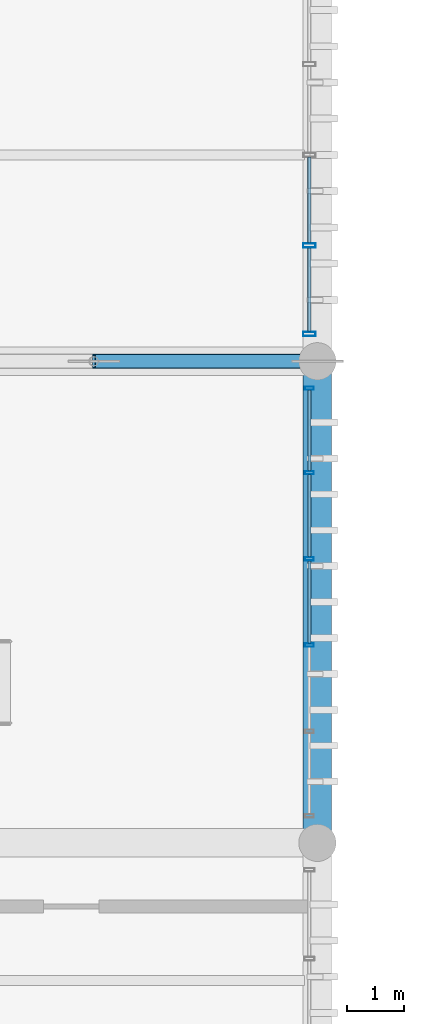
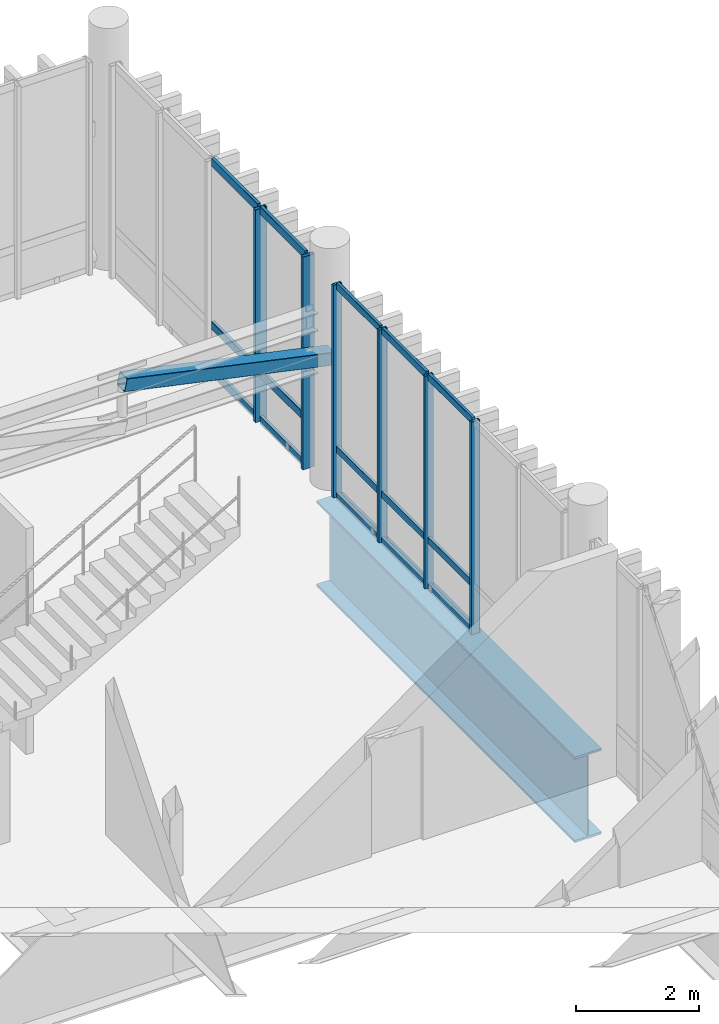
# One storey, part 43 of 86: 22 members, 1 beam, 2 elements without a shape of their own.
"""IFC4 building model written with IfcOpenShell, lengths in metres."""

from ifc_helpers import new_model, si_unit, direction, frame, origin_with_axes, origin_2d_with_axis, place, context, subcontext, project, spatial, hollow_rectangle, i_section, extrude, material, material_profile, profile_set, type_object, element, aggregate, save


model = new_model("IFC4")

# Units and contexts
model_context = context("Model", 3, precision=1e-05, world=origin_with_axes(), true_north=direction((0.0, 1.0)))
body_context = subcontext(model_context, "Body", "Model", "MODEL_VIEW")
ifc_project = project(units=[si_unit("LENGTHUNIT", "METRE"), si_unit("AREAUNIT", "SQUARE_METRE"), si_unit("VOLUMEUNIT", "CUBIC_METRE"), si_unit("PLANEANGLEUNIT", "RADIAN"), si_unit("MASSUNIT", "GRAM", prefix="KILO"), si_unit("THERMODYNAMICTEMPERATUREUNIT", "KELVIN")], contexts=[model_context])

# Site, building, storey
site_placement = place(None, origin_with_axes())
site = spatial("IfcSite", under=ifc_project, at=site_placement, CompositionType="ELEMENT")
building_placement = place(site_placement, origin_with_axes())
building = spatial("IfcBuilding", under=site, at=building_placement, Name="Montbau Bow Law Courts", CompositionType="ELEMENT")
storey_placement = place(building_placement, frame((0.0, 0.0, 29.7), z_axis=(0.0, 0.0, 1.0), x_axis=(1.0, 0.0, 0.0)))
storey = spatial("IfcBuildingStorey", under=building, at=storey_placement, Name="L06", CompositionType="ELEMENT", Elevation=29.7)

# Beam
ifc_material_1 = material(Name="Steel CSA G40.21 Grade 350WT (350 MPa)", Category="steel")
ifc_material_profile_1 = material_profile(ifc_material_1, i_section(OverallWidth=0.5, OverallDepth=1.7, WebThickness=0.02, FlangeThickness=0.045, at=origin_2d_with_axis()), Name="WWF1700X480", Category="Main", Priority=0)
ifc_profile_set_1 = profile_set([ifc_material_profile_1], Name="Steel CSA G40.21 Grade 350WT (350 MPa)")
beam_type = type_object("IfcBeamType", Name="B-TRG-02", PredefinedType="USERDEFINED", material=ifc_profile_set_1)
beam_placement = place(None, frame((105.0, 46.2, 28.51), z_axis=(0.0, 1.0, 0.0), x_axis=(-1.0, 0.0, 0.0)))
element("IfcBeam", 1, at=beam_placement, inside=storey, type_object=beam_type, Name="TRG-L06-S0068:bm2_0071", ObjectType="GIRDER", PredefinedType="USERDEFINED", context=body_context, shape_type="SweptSolid", body=[
    extrude(i_section(OverallWidth=0.5, OverallDepth=1.7, WebThickness=0.02, FlangeThickness=0.045, at=origin_2d_with_axis()), origin_with_axes(), (0.0, 0.0, 1.0), 8.4),
])

# Member
ifc_material_2 = material(Name="Steel CSA G40.21 Grade 350W (350 MPa)", Category="steel")
ifc_material_profile_2 = material_profile(ifc_material_2, hollow_rectangle(XDim=0.254, YDim=0.254, WallThickness=0.0127, InnerFilletRadius=0.0254, OuterFilletRadius=0.0127, at=origin_2d_with_axis()), Name="HSS254X254X13", Category="Main", Priority=0)
ifc_profile_set_2 = profile_set([ifc_material_profile_2], Name="Steel CSA G40.21 Grade 350W (350 MPa)")
member_type_1 = type_object("IfcMemberType", Name="M-BRC-01", PredefinedType="BRACE", material=ifc_profile_set_2)
member_1_placement = place(None, frame((101.1, 54.6, 33.0), z_axis=(0.977581781, 0.0, -0.210556076), x_axis=(0.0, 1.0, 0.0)))
element("IfcMember", 2, at=member_1_placement, inside=storey, type_object=member_type_1, Name="Diagonal brace BRC-L06-016", PredefinedType="BRACE", context=body_context, shape_type="SweptSolid", body=[
    extrude(hollow_rectangle(XDim=0.254, YDim=0.254, WallThickness=0.0127, InnerFilletRadius=0.0254, OuterFilletRadius=0.0127, at=origin_2d_with_axis()), origin_with_axes(), (0.0, 0.0, 1.0), 3.989436),
])

# Curtain wall, members
ifc_material_3 = material(Name="Thermally Broken Extruded Aluminium AA 6063-T6", Category="aluminium")
curtain_wall_type = type_object("IfcCurtainWallType", Name="CW-CRM-02", PredefinedType="NOTDEFINED", material=ifc_material_3)
curtain_wall_1_placement = place(None, frame((104.86, 55.04, 29.7), z_axis=(0.0, 0.0, 1.0), x_axis=(1.0, 0.0, 0.0)))
curtain_wall_1 = element("IfcCurtainWall", 3, at=curtain_wall_1_placement, inside=storey, type_object=curtain_wall_type, Name="CW-L06-240:cw_0240", PredefinedType="NOTDEFINED")
ifc_material_profile_3 = material_profile(ifc_material_3, hollow_rectangle(XDim=0.075, YDim=0.22, WallThickness=0.005, InnerFilletRadius=0.01, OuterFilletRadius=0.005, at=origin_2d_with_axis()), Name="CWM-220X75", Category="Main", Priority=0)
ifc_profile_set_3 = profile_set([ifc_material_profile_3], Name="Thermally Broken Extruded Aluminium AA 6063-T6")
member_type_2 = type_object("IfcMemberType", Name="M-MUL-01", PredefinedType="MULLION", material=ifc_profile_set_3)
member_2_placement = place(None, frame((104.86, 55.077, 29.7), z_axis=(0.0, 0.0, 1.0), x_axis=(0.0, 1.0, 0.0)))
member_2 = element("IfcMember", 4, at=member_2_placement, type_object=member_type_2, Name="CW-L06-240-M01:cw_0240_M01", PredefinedType="MULLION", context=body_context, shape_type="SweptSolid", body=[
    extrude(hollow_rectangle(XDim=0.075, YDim=0.22, WallThickness=0.005, InnerFilletRadius=0.01, OuterFilletRadius=0.005, at=origin_2d_with_axis()), origin_with_axes(), (0.0, 0.0, 1.0), 4.22),
])
member_3_placement = place(None, frame((104.86, 56.62, 29.7), z_axis=(0.0, 0.0, 1.0), x_axis=(0.0, 1.0, 0.0)))
member_3 = element("IfcMember", 5, at=member_3_placement, type_object=member_type_2, Name="CW-L06-240-M02:cw_0240_M02", PredefinedType="MULLION", context=body_context, shape_type="SweptSolid", body=[
    extrude(hollow_rectangle(XDim=0.075, YDim=0.22, WallThickness=0.005, InnerFilletRadius=0.01, OuterFilletRadius=0.005, at=origin_2d_with_axis()), origin_with_axes(), (0.0, 0.0, 1.0), 4.22),
])

curtain_wall_2_placement = place(None, frame((104.86, 46.64, 29.7), z_axis=(0.0, 0.0, 1.0), x_axis=(1.0, 0.0, 0.0)))
curtain_wall_2 = element("IfcCurtainWall", 6, at=curtain_wall_2_placement, inside=storey, type_object=curtain_wall_type, Name="CW-L06-239:cw_0239", PredefinedType="NOTDEFINED")
ifc_material_profile_4 = material_profile(ifc_material_3, hollow_rectangle(XDim=0.06, YDim=0.16, WallThickness=0.004, InnerFilletRadius=0.008, OuterFilletRadius=0.004, at=origin_2d_with_axis()), Name="CWM-160X60", Category="Main", Priority=0)
ifc_profile_set_4 = profile_set([ifc_material_profile_4], Name="Thermally Broken Extruded Aluminium AA 6063-T6")
member_type_3 = type_object("IfcMemberType", Name="M-MUL-03", PredefinedType="MULLION", material=ifc_profile_set_4)
member_4_placement = place(None, frame((104.86, 49.648, 29.7), z_axis=(0.0, 0.0, 1.0), x_axis=(0.0, 1.0, 0.0)))
member_4 = element("IfcMember", 7, at=member_4_placement, type_object=member_type_3, Name="CW-L06-239-M03:cw_0239_M03", PredefinedType="MULLION", context=body_context, shape_type="SweptSolid", body=[
    extrude(hollow_rectangle(XDim=0.06, YDim=0.16, WallThickness=0.004, InnerFilletRadius=0.008, OuterFilletRadius=0.004, at=origin_2d_with_axis()), origin_with_axes(), (0.0, 0.0, 1.0), 4.22),
])
member_5_placement = place(None, frame((104.86, 51.152, 29.7), z_axis=(0.0, 0.0, 1.0), x_axis=(0.0, 1.0, 0.0)))
member_5 = element("IfcMember", 8, at=member_5_placement, type_object=member_type_3, Name="CW-L06-239-M04:cw_0239_M04", PredefinedType="MULLION", context=body_context, shape_type="SweptSolid", body=[
    extrude(hollow_rectangle(XDim=0.06, YDim=0.16, WallThickness=0.004, InnerFilletRadius=0.008, OuterFilletRadius=0.004, at=origin_2d_with_axis()), origin_with_axes(), (0.0, 0.0, 1.0), 4.22),
])
member_6_placement = place(None, frame((104.86, 52.656, 29.7), z_axis=(0.0, 0.0, 1.0), x_axis=(0.0, 1.0, 0.0)))
member_6 = element("IfcMember", 9, at=member_6_placement, type_object=member_type_3, Name="CW-L06-239-M05:cw_0239_M05", PredefinedType="MULLION", context=body_context, shape_type="SweptSolid", body=[
    extrude(hollow_rectangle(XDim=0.06, YDim=0.16, WallThickness=0.004, InnerFilletRadius=0.008, OuterFilletRadius=0.004, at=origin_2d_with_axis()), origin_with_axes(), (0.0, 0.0, 1.0), 4.22),
])
member_7_placement = place(None, frame((104.86, 54.13, 29.7), z_axis=(0.0, 0.0, 1.0), x_axis=(0.0, 1.0, 0.0)))
member_7 = element("IfcMember", 10, at=member_7_placement, type_object=member_type_3, Name="CW-L06-239-M06:cw_0239_M06", PredefinedType="MULLION", context=body_context, shape_type="SweptSolid", body=[
    extrude(hollow_rectangle(XDim=0.06, YDim=0.16, WallThickness=0.004, InnerFilletRadius=0.008, OuterFilletRadius=0.004, at=origin_2d_with_axis()), origin_with_axes(), (0.0, 0.0, 1.0), 4.22),
])

# Member
ifc_material_profile_5 = material_profile(ifc_material_3, hollow_rectangle(XDim=0.06, YDim=0.16, WallThickness=0.004, InnerFilletRadius=0.008, OuterFilletRadius=0.004, at=origin_2d_with_axis()), Name="CWT-160X60", Category="Main", Priority=0)
ifc_profile_set_5 = profile_set([ifc_material_profile_5], Name="Thermally Broken Extruded Aluminium AA 6063-T6")
member_type_4 = type_object("IfcMemberType", Name="M-TRN-01", PredefinedType="USERDEFINED", material=ifc_profile_set_5)
member_8_placement = place(None, frame((104.86, 55.116, 29.73), z_axis=(0.0, 1.0, 0.0), x_axis=(-1.0, 0.0, 0.0)))
member_8 = element("IfcMember", 11, at=member_8_placement, type_object=member_type_4, Name="CW-L06-240-T01-1:cw_0240_T01_1", ObjectType="TRANSOM", PredefinedType="USERDEFINED", context=body_context, shape_type="SweptSolid", body=[
    extrude(hollow_rectangle(XDim=0.06, YDim=0.16, WallThickness=0.004, InnerFilletRadius=0.008, OuterFilletRadius=0.004, at=origin_2d_with_axis()), origin_with_axes(), (0.0, 0.0, 1.0), 1.464),
])

member_9_placement = place(None, frame((104.86, 55.116, 30.65), z_axis=(0.0, 1.0, 0.0), x_axis=(-1.0, 0.0, 0.0)))
member_9 = element("IfcMember", 12, at=member_9_placement, type_object=member_type_4, Name="CW-L06-240-T01-2:cw_0240_T01_2", ObjectType="TRANSOM", PredefinedType="USERDEFINED", context=body_context, shape_type="SweptSolid", body=[
    extrude(hollow_rectangle(XDim=0.06, YDim=0.16, WallThickness=0.004, InnerFilletRadius=0.008, OuterFilletRadius=0.004, at=origin_2d_with_axis()), origin_with_axes(), (0.0, 0.0, 1.0), 1.464),
])

member_10_placement = place(None, frame((104.86, 55.116, 33.89), z_axis=(0.0, 1.0, 0.0), x_axis=(-1.0, 0.0, 0.0)))
member_10 = element("IfcMember", 13, at=member_10_placement, type_object=member_type_4, Name="CW-L06-240-T01-3:cw_0240_T01_3", ObjectType="TRANSOM", PredefinedType="USERDEFINED", context=body_context, shape_type="SweptSolid", body=[
    extrude(hollow_rectangle(XDim=0.06, YDim=0.16, WallThickness=0.004, InnerFilletRadius=0.008, OuterFilletRadius=0.004, at=origin_2d_with_axis()), origin_with_axes(), (0.0, 0.0, 1.0), 1.464),
])

member_11_placement = place(None, frame((104.86, 56.66, 29.73), z_axis=(0.0, 1.0, 0.0), x_axis=(-1.0, 0.0, 0.0)))
member_11 = element("IfcMember", 14, at=member_11_placement, type_object=member_type_4, Name="CW-L06-240-T02-1:cw_0240_T02_1", ObjectType="TRANSOM", PredefinedType="USERDEFINED", context=body_context, shape_type="SweptSolid", body=[
    extrude(hollow_rectangle(XDim=0.06, YDim=0.16, WallThickness=0.004, InnerFilletRadius=0.008, OuterFilletRadius=0.004, at=origin_2d_with_axis()), origin_with_axes(), (0.0, 0.0, 1.0), 1.501),
])

member_12_placement = place(None, frame((104.86, 56.66, 30.65), z_axis=(0.0, 1.0, 0.0), x_axis=(-1.0, 0.0, 0.0)))
member_12 = element("IfcMember", 15, at=member_12_placement, type_object=member_type_4, Name="CW-L06-240-T02-2:cw_0240_T02_2", ObjectType="TRANSOM", PredefinedType="USERDEFINED", context=body_context, shape_type="SweptSolid", body=[
    extrude(hollow_rectangle(XDim=0.06, YDim=0.16, WallThickness=0.004, InnerFilletRadius=0.008, OuterFilletRadius=0.004, at=origin_2d_with_axis()), origin_with_axes(), (0.0, 0.0, 1.0), 1.501),
])

member_13_placement = place(None, frame((104.86, 56.66, 33.89), z_axis=(0.0, 1.0, 0.0), x_axis=(-1.0, 0.0, 0.0)))
member_13 = element("IfcMember", 16, at=member_13_placement, type_object=member_type_4, Name="CW-L06-240-T02-3:cw_0240_T02_3", ObjectType="TRANSOM", PredefinedType="USERDEFINED", context=body_context, shape_type="SweptSolid", body=[
    extrude(hollow_rectangle(XDim=0.06, YDim=0.16, WallThickness=0.004, InnerFilletRadius=0.008, OuterFilletRadius=0.004, at=origin_2d_with_axis()), origin_with_axes(), (0.0, 0.0, 1.0), 1.501),
])

aggregate(curtain_wall_1, [member_2, member_3, member_8, member_9, member_10, member_11, member_12, member_13])

ifc_material_profile_6 = material_profile(ifc_material_3, hollow_rectangle(XDim=0.055, YDim=0.14, WallThickness=0.004, InnerFilletRadius=0.008, OuterFilletRadius=0.004, at=origin_2d_with_axis()), Name="CWT-140X55", Category="Main", Priority=0)
ifc_profile_set_6 = profile_set([ifc_material_profile_6], Name="Thermally Broken Extruded Aluminium AA 6063-T6")
member_type_5 = type_object("IfcMemberType", Name="M-TRN-02", PredefinedType="USERDEFINED", material=ifc_profile_set_6)
member_14_placement = place(None, frame((104.86, 49.68, 29.727), z_axis=(0.0, 1.0, 0.0), x_axis=(-1.0, 0.0, 0.0)))
member_14 = element("IfcMember", 17, at=member_14_placement, type_object=member_type_5, Name="CW-L06-239-T03-1:cw_0239_T03_1", ObjectType="TRANSOM", PredefinedType="USERDEFINED", context=body_context, shape_type="SweptSolid", body=[
    extrude(hollow_rectangle(XDim=0.055, YDim=0.14, WallThickness=0.004, InnerFilletRadius=0.008, OuterFilletRadius=0.004, at=origin_2d_with_axis()), origin_with_axes(), (0.0, 0.0, 1.0), 1.44),
])

member_15_placement = place(None, frame((104.86, 49.68, 30.65), z_axis=(0.0, 1.0, 0.0), x_axis=(-1.0, 0.0, 0.0)))
member_15 = element("IfcMember", 18, at=member_15_placement, type_object=member_type_5, Name="CW-L06-239-T03-2:cw_0239_T03_2", ObjectType="TRANSOM", PredefinedType="USERDEFINED", context=body_context, shape_type="SweptSolid", body=[
    extrude(hollow_rectangle(XDim=0.055, YDim=0.14, WallThickness=0.004, InnerFilletRadius=0.008, OuterFilletRadius=0.004, at=origin_2d_with_axis()), origin_with_axes(), (0.0, 0.0, 1.0), 1.44),
])

member_16_placement = place(None, frame((104.86, 49.68, 33.892), z_axis=(0.0, 1.0, 0.0), x_axis=(-1.0, 0.0, 0.0)))
member_16 = element("IfcMember", 19, at=member_16_placement, type_object=member_type_5, Name="CW-L06-239-T03-3:cw_0239_T03_3", ObjectType="TRANSOM", PredefinedType="USERDEFINED", context=body_context, shape_type="SweptSolid", body=[
    extrude(hollow_rectangle(XDim=0.055, YDim=0.14, WallThickness=0.004, InnerFilletRadius=0.008, OuterFilletRadius=0.004, at=origin_2d_with_axis()), origin_with_axes(), (0.0, 0.0, 1.0), 1.44),
])

member_17_placement = place(None, frame((104.86, 51.184, 29.727), z_axis=(0.0, 1.0, 0.0), x_axis=(-1.0, 0.0, 0.0)))
member_17 = element("IfcMember", 20, at=member_17_placement, type_object=member_type_5, Name="CW-L06-239-T04-1:cw_0239_T04_1", ObjectType="TRANSOM", PredefinedType="USERDEFINED", context=body_context, shape_type="SweptSolid", body=[
    extrude(hollow_rectangle(XDim=0.055, YDim=0.14, WallThickness=0.004, InnerFilletRadius=0.008, OuterFilletRadius=0.004, at=origin_2d_with_axis()), origin_with_axes(), (0.0, 0.0, 1.0), 1.44),
])

member_18_placement = place(None, frame((104.86, 51.184, 30.65), z_axis=(0.0, 1.0, 0.0), x_axis=(-1.0, 0.0, 0.0)))
member_18 = element("IfcMember", 21, at=member_18_placement, type_object=member_type_5, Name="CW-L06-239-T04-2:cw_0239_T04_2", ObjectType="TRANSOM", PredefinedType="USERDEFINED", context=body_context, shape_type="SweptSolid", body=[
    extrude(hollow_rectangle(XDim=0.055, YDim=0.14, WallThickness=0.004, InnerFilletRadius=0.008, OuterFilletRadius=0.004, at=origin_2d_with_axis()), origin_with_axes(), (0.0, 0.0, 1.0), 1.44),
])

member_19_placement = place(None, frame((104.86, 51.184, 33.892), z_axis=(0.0, 1.0, 0.0), x_axis=(-1.0, 0.0, 0.0)))
member_19 = element("IfcMember", 22, at=member_19_placement, type_object=member_type_5, Name="CW-L06-239-T04-3:cw_0239_T04_3", ObjectType="TRANSOM", PredefinedType="USERDEFINED", context=body_context, shape_type="SweptSolid", body=[
    extrude(hollow_rectangle(XDim=0.055, YDim=0.14, WallThickness=0.004, InnerFilletRadius=0.008, OuterFilletRadius=0.004, at=origin_2d_with_axis()), origin_with_axes(), (0.0, 0.0, 1.0), 1.44),
])

member_20_placement = place(None, frame((104.86, 52.688, 29.727), z_axis=(0.0, 1.0, 0.0), x_axis=(-1.0, 0.0, 0.0)))
member_20 = element("IfcMember", 23, at=member_20_placement, type_object=member_type_5, Name="CW-L06-239-T05-1:cw_0239_T05_1", ObjectType="TRANSOM", PredefinedType="USERDEFINED", context=body_context, shape_type="SweptSolid", body=[
    extrude(hollow_rectangle(XDim=0.055, YDim=0.14, WallThickness=0.004, InnerFilletRadius=0.008, OuterFilletRadius=0.004, at=origin_2d_with_axis()), origin_with_axes(), (0.0, 0.0, 1.0), 1.41),
])

member_21_placement = place(None, frame((104.86, 52.688, 30.65), z_axis=(0.0, 1.0, 0.0), x_axis=(-1.0, 0.0, 0.0)))
member_21 = element("IfcMember", 24, at=member_21_placement, type_object=member_type_5, Name="CW-L06-239-T05-2:cw_0239_T05_2", ObjectType="TRANSOM", PredefinedType="USERDEFINED", context=body_context, shape_type="SweptSolid", body=[
    extrude(hollow_rectangle(XDim=0.055, YDim=0.14, WallThickness=0.004, InnerFilletRadius=0.008, OuterFilletRadius=0.004, at=origin_2d_with_axis()), origin_with_axes(), (0.0, 0.0, 1.0), 1.41),
])

member_22_placement = place(None, frame((104.86, 52.688, 33.892), z_axis=(0.0, 1.0, 0.0), x_axis=(-1.0, 0.0, 0.0)))
member_22 = element("IfcMember", 25, at=member_22_placement, type_object=member_type_5, Name="CW-L06-239-T05-3:cw_0239_T05_3", ObjectType="TRANSOM", PredefinedType="USERDEFINED", context=body_context, shape_type="SweptSolid", body=[
    extrude(hollow_rectangle(XDim=0.055, YDim=0.14, WallThickness=0.004, InnerFilletRadius=0.008, OuterFilletRadius=0.004, at=origin_2d_with_axis()), origin_with_axes(), (0.0, 0.0, 1.0), 1.41),
])

aggregate(curtain_wall_2, [member_4, member_5, member_6, member_7, member_14, member_15, member_16, member_17, member_18, member_19, member_20, member_21, member_22])

save(model, "model.ifc")
